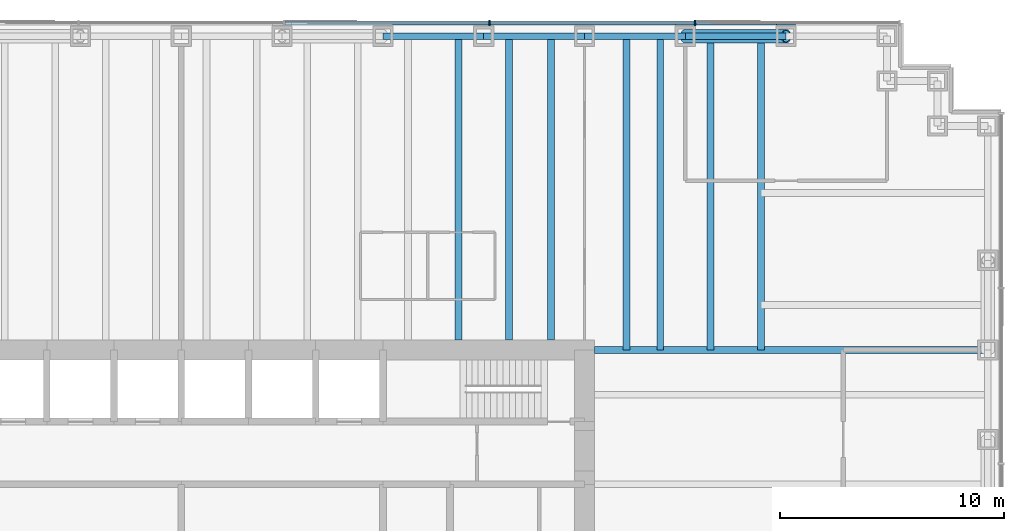
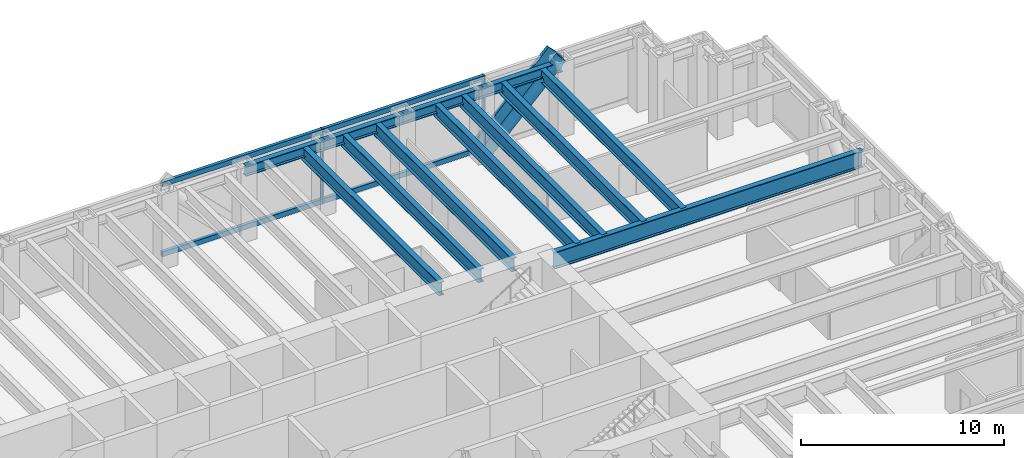
# One storey, part 6 of 13: 12 beams, 8 members, 1 element without a shape of its own.
"""IFC4 building model written with IfcOpenShell, lengths in metres."""

from ifc_helpers import new_model, si_unit, direction, frame, origin, origin_2d, place, context, subcontext, project, spatial, rectangle, hollow_circle, i_section, extrude, material, material_profile, profile_set, type_object, element, aggregate, save


model = new_model("IFC4")

# Units and contexts
model_context = context("Model", 3, precision=1e-05, world=origin(), true_north=direction((0.0, 1.0)))
body_context = subcontext(model_context, "Body", "Model", "MODEL_VIEW")
ifc_project = project(units=[si_unit("LENGTHUNIT", "METRE"), si_unit("AREAUNIT", "SQUARE_METRE"), si_unit("VOLUMEUNIT", "CUBIC_METRE"), si_unit("PLANEANGLEUNIT", "RADIAN"), si_unit("MASSUNIT", "GRAM", prefix="KILO")], contexts=[model_context])

# Site, building, storey
site_placement = place(None, origin())
site = spatial("IfcSite", under=ifc_project, at=site_placement, CompositionType="ELEMENT")
building_placement = place(site_placement, origin())
building = spatial("IfcBuilding", under=site, at=building_placement, Name="Rheinbord Bourse Tower", CompositionType="ELEMENT")
storey_placement = place(building_placement, frame((0.0, 0.0, 54.5)))
storey = spatial("IfcBuildingStorey", under=building, at=storey_placement, Name="L11", CompositionType="ELEMENT", Elevation=54.5)

# Curtain wall, members
ifc_material_1 = material(Name="Dark glass and black aluminium", Category="aluminium")
curtain_wall_type = type_object("IfcCurtainWallType", Name="CW1 DARK GLASS CURTAIN WALL", PredefinedType="USERDEFINED", material=ifc_material_1)
curtain_wall_placement = place(storey_placement, origin())
curtain_wall = element("IfcCurtainWall", 1, at=curtain_wall_placement, inside=storey, type_object=curtain_wall_type, Name="Curtain wall CW1 N L11", ObjectType="UNITISED CURTAIN WALL", PredefinedType="USERDEFINED")
ifc_material_2 = material(Name="Black anodised aluminium", Category="aluminium")
ifc_material_profile_1 = material_profile(ifc_material_2, rectangle(XDim=0.179931640625, YDim=1.2099609375, at=origin_2d()), Name="CW1 DIAGONAL MULLION 1210x180")
ifc_profile_set_1 = profile_set([ifc_material_profile_1], Name="Black anodised aluminium")
member_type_1 = type_object("IfcMemberType", Name="CW1 BLACK DIAGONAL MULLION", PredefinedType="USERDEFINED", material=ifc_profile_set_1)
member_1_placement = place(storey_placement, frame((58.5, 46.60009765625, 0.0), z_axis=(0.707106781187, 0.0, 0.707106781187), x_axis=(0.0, 1.0, 0.0)))
member_1 = element("IfcMember", 2, at=member_1_placement, type_object=member_type_1, Name="CW1 diagonal mullion a", ObjectType="DIAGONAL MULLION", PredefinedType="USERDEFINED", context=body_context, shape_type="SweptSolid", body=[
    extrude(rectangle(XDim=0.179931640625, YDim=1.2099609375, at=origin_2d()), origin(), (0.0, 0.0, 1.0), 6.364013671875),
])
ifc_material_3 = material(Name="Black anodised aluminium", Category="aluminium")
ifc_material_profile_2 = material_profile(ifc_material_3, rectangle(XDim=0.25, YDim=0.080078125, at=origin_2d()), Name="CW1 MULLION 80x250")
ifc_profile_set_2 = profile_set([ifc_material_profile_2], Name="Black anodised aluminium")
member_type_2 = type_object("IfcMemberType", Name="CW1 BLACK MULLION", PredefinedType="MULLION", material=ifc_profile_set_2)
member_2_placement = place(storey_placement, frame((58.928466796875, 46.60009765625, 0.0), z_axis=(0.0, 0.0, 1.0), x_axis=(0.0, -1.0, 0.0)))
member_2 = element("IfcMember", 3, at=member_2_placement, type_object=member_type_2, Name="CW1 mullion 2", PredefinedType="MULLION", context=body_context, shape_type="SweptSolid", body=[
    extrude(rectangle(XDim=0.25, YDim=0.080078125, at=origin_2d()), origin(), (0.0, 0.0, 1.0), 4.5),
])
member_3_placement = place(storey_placement, frame((49.757080078125, 46.60009765625, 0.0), z_axis=(0.0, 0.0, 1.0), x_axis=(0.0, -1.0, 0.0)))
member_3 = element("IfcMember", 4, at=member_3_placement, type_object=member_type_2, Name="CW1 mullion 3", PredefinedType="MULLION", context=body_context, shape_type="SweptSolid", body=[
    extrude(rectangle(XDim=0.25, YDim=0.080078125, at=origin_2d()), origin(), (0.0, 0.0, 1.0), 4.5),
])
ifc_material_4 = material(Name="Black anodised aluminium", Category="aluminium")
ifc_material_profile_3 = material_profile(ifc_material_4, rectangle(XDim=0.179931640625, YDim=0.300048828125, at=origin_2d()), Name="CW1 TRANSOM 300x180")
ifc_profile_set_3 = profile_set([ifc_material_profile_3], Name="Black anodised aluminium")
member_type_3 = type_object("IfcMemberType", Name="CW1 BLACK TRANSOM", PredefinedType="USERDEFINED", material=ifc_profile_set_3)
member_4_placement = place(storey_placement, frame((58.888671875, 46.60009765625, 0.14990234375), z_axis=(-1.0, 0.0, 0.0), x_axis=(0.0, -1.0, 0.0)))
member_4 = element("IfcMember", 5, at=member_4_placement, type_object=member_type_3, Name="CW1 transom 2.1", ObjectType="TRANSOM", PredefinedType="USERDEFINED", context=body_context, shape_type="SweptSolid", body=[
    extrude(rectangle(XDim=0.179931640625, YDim=0.300048828125, at=origin_2d()), origin(), (0.0, 0.0, 1.0), 9.091552734375),
])
member_5_placement = place(storey_placement, frame((58.888671875, 46.60009765625, 4.35009765625), z_axis=(-1.0, 0.0, 0.0), x_axis=(0.0, -1.0, 0.0)))
member_5 = element("IfcMember", 6, at=member_5_placement, type_object=member_type_3, Name="CW1 transom 2.2", ObjectType="TRANSOM", PredefinedType="USERDEFINED", context=body_context, shape_type="SweptSolid", body=[
    extrude(rectangle(XDim=0.179931640625, YDim=0.300048828125, at=origin_2d()), origin(), (0.0, 0.0, 1.0), 9.091552734375),
])
member_6_placement = place(storey_placement, frame((49.717041015625, 46.60009765625, 0.14990234375), z_axis=(-1.0, 0.0, 0.0), x_axis=(0.0, -1.0, 0.0)))
member_6 = element("IfcMember", 7, at=member_6_placement, type_object=member_type_3, Name="CW1 transom 3.1", ObjectType="TRANSOM", PredefinedType="USERDEFINED", context=body_context, shape_type="SweptSolid", body=[
    extrude(rectangle(XDim=0.179931640625, YDim=0.300048828125, at=origin_2d()), origin(), (0.0, 0.0, 1.0), 9.09130859375),
])
member_7_placement = place(storey_placement, frame((49.717041015625, 46.60009765625, 4.35009765625), z_axis=(-1.0, 0.0, 0.0), x_axis=(0.0, -1.0, 0.0)))
member_7 = element("IfcMember", 8, at=member_7_placement, type_object=member_type_3, Name="CW1 transom 3.2", ObjectType="TRANSOM", PredefinedType="USERDEFINED", context=body_context, shape_type="SweptSolid", body=[
    extrude(rectangle(XDim=0.179931640625, YDim=0.300048828125, at=origin_2d()), origin(), (0.0, 0.0, 1.0), 9.09130859375),
])
aggregate(curtain_wall, [member_2, member_3, member_4, member_5, member_6, member_7, member_1])

# Beams
ifc_material_5 = material(Name="Steel S460", Category="steel")
ifc_material_profile_4 = material_profile(ifc_material_5, i_section(OverallWidth=0.300048828125, OverallDepth=0.800048828125, WebThickness=0.017578125, FlangeThickness=0.032958984375, at=origin_2d()), Name="HEB 800")
ifc_profile_set_4 = profile_set([ifc_material_profile_4], Name="Steel S460")
beam_type_1 = type_object("IfcBeamType", Name="FLOOR BEAM HEB 800", PredefinedType="BEAM", material=ifc_profile_set_4)
for number, where, z_axis, x_axis, name in (
    (9, (48.375, 46.0, 3.919921875), (0.0, -1.0, 0.0), (1.0, 0.0, 0.0), "Floor beam N-45b L12"),
    (10, (50.625, 46.0, 3.919921875), (0.0, -1.0, 0.0), (1.0, 0.0, 0.0), "Floor beam N-49.5a L12"),
    (11, (52.5, 46.0, 3.919921875), (0.0, -1.0, 0.0), (1.0, 0.0, 0.0), "Floor beam N-49.5b L12"),
):
    element("IfcBeam", number, at=place(storey_placement, frame(where, z_axis=z_axis, x_axis=x_axis)), inside=storey, type_object=beam_type_1, Name=name, PredefinedType="BEAM", context=body_context, shape_type="SweptSolid", body=[
        extrude(i_section(OverallWidth=0.300048828125, OverallDepth=0.800048828125, WebThickness=0.017578125, FlangeThickness=0.032958984375, at=origin_2d()), origin(), (0.0, 0.0, 1.0), 13.550048828125),
    ])
for number, where, z_axis, x_axis, name in (
    (12, (55.875, 46.0, 3.919921875), (0.0, -1.0, 0.0), (1.0, 0.0, 0.0), "Floor beam N-54a L12"),
    (13, (57.375, 46.0, 3.919921875), (0.0, -1.0, 0.0), (1.0, 0.0, 0.0), "Floor beam N-54b L12"),
    (14, (59.625, 46.0, 3.919921875), (0.0, -1.0, 0.0), (1.0, 0.0, 0.0), "Floor beam N-58.5a L12"),
    (15, (61.875, 46.0, 3.919921875), (0.0, -1.0, 0.0), (1.0, 0.0, 0.0), "Floor beam N-58.5b L12"),
):
    element("IfcBeam", number, at=place(storey_placement, frame(where, z_axis=z_axis, x_axis=x_axis)), inside=storey, type_object=beam_type_1, Name=name, PredefinedType="BEAM", context=body_context, shape_type="SweptSolid", body=[
        extrude(i_section(OverallWidth=0.300048828125, OverallDepth=0.800048828125, WebThickness=0.017578125, FlangeThickness=0.032958984375, at=origin_2d()), origin(), (0.0, 0.0, 1.0), 14.0),
    ])
ifc_material_6 = material(Name="Steel S460", Category="steel")
ifc_material_profile_5 = material_profile(ifc_material_6, i_section(OverallWidth=0.302001953125, OverallDepth=1.008056640625, WebThickness=0.02099609375, FlangeThickness=0.0400390625, at=origin_2d()), Name="HEM 1000")
ifc_profile_set_5 = profile_set([ifc_material_profile_5], Name="Steel S460")
beam_type_2 = type_object("IfcBeamType", Name="GIRDER HEM 1000", PredefinedType="BEAM", material=ifc_profile_set_5)
beam_placement = place(storey_placement, frame((54.449951171875, 32.0, 3.81591796875), z_axis=(1.0, 0.0, 0.0), x_axis=(0.0, 1.0, 0.0)))
element("IfcBeam", 16, at=beam_placement, inside=storey, type_object=beam_type_2, Name="Girder east 32 L12", PredefinedType="BEAM", context=body_context, shape_type="SweptSolid", body=[
    extrude(i_section(OverallWidth=0.302001953125, OverallDepth=1.008056640625, WebThickness=0.02099609375, FlangeThickness=0.0400390625, at=origin_2d()), origin(), (0.0, 0.0, 1.0), 17.550048828125),
])

# Member
ifc_material_7 = material(Name="Steel S460", Category="steel")
ifc_material_profile_6 = material_profile(ifc_material_7, hollow_circle(Radius=0.304931640625, WallThickness=0.050048828125, at=origin_2d()), Name="CHS 610x50")
ifc_profile_set_6 = profile_set([ifc_material_profile_6], Name="Steel S460")
member_type_4 = type_object("IfcMemberType", Name="MEGABRACE CHS 610x50", PredefinedType="BRACE", material=ifc_profile_set_6)
member_8_placement = place(storey_placement, frame((58.5, 46.0, 0.0), z_axis=(0.707106781187, 0.0, 0.707106781187), x_axis=(0.0, 1.0, 0.0)))
element("IfcMember", 17, at=member_8_placement, inside=storey, type_object=member_type_4, Name="Megabrace N face line a L11", PredefinedType="BRACE", context=body_context, shape_type="SweptSolid", body=[
    extrude(hollow_circle(Radius=0.304931640625, WallThickness=0.050048828125, at=origin_2d()), origin(), (0.0, 0.0, 1.0), 6.364013671875),
])

# Beams
ifc_material_8 = material(Name="Steel S460", Category="steel")
ifc_material_profile_7 = material_profile(ifc_material_8, i_section(OverallWidth=0.304931640625, OverallDepth=0.6201171875, WebThickness=0.02099609375, FlangeThickness=0.0400390625, at=origin_2d()), Name="HEM 600")
ifc_profile_set_7 = profile_set([ifc_material_profile_7], Name="Steel S460")
beam_type_3 = type_object("IfcBeamType", Name="SPANDREL HEM 600", PredefinedType="SPANDREL", material=ifc_profile_set_7)
for number, where, z_axis, x_axis, name in (
    (18, (63.0, 46.0, 4.010009765625), (-1.0, 0.0, 0.0), (0.0, -1.0, 0.0), "Spandrel N-63-N-58.5 under L12"),
    (19, (58.5, 46.0, 4.010009765625), (-1.0, 0.0, 0.0), (0.0, -1.0, 0.0), "Spandrel N-58.5-N-54 under L12"),
    (20, (54.0, 46.0, 4.010009765625), (-1.0, 0.0, 0.0), (0.0, -1.0, 0.0), "Spandrel N-54-N-49.5 under L12"),
    (21, (49.5, 46.0, 4.010009765625), (-1.0, 0.0, 0.0), (0.0, -1.0, 0.0), "Spandrel N-49.5-N-45 under L12"),
):
    element("IfcBeam", number, at=place(storey_placement, frame(where, z_axis=z_axis, x_axis=x_axis)), inside=storey, type_object=beam_type_3, Name=name, PredefinedType="SPANDREL", context=body_context, shape_type="SweptSolid", body=[
        extrude(i_section(OverallWidth=0.304931640625, OverallDepth=0.6201171875, WebThickness=0.02099609375, FlangeThickness=0.0400390625, at=origin_2d()), origin(), (0.0, 0.0, 1.0), 4.5),
    ])

save(model, "model.ifc")
